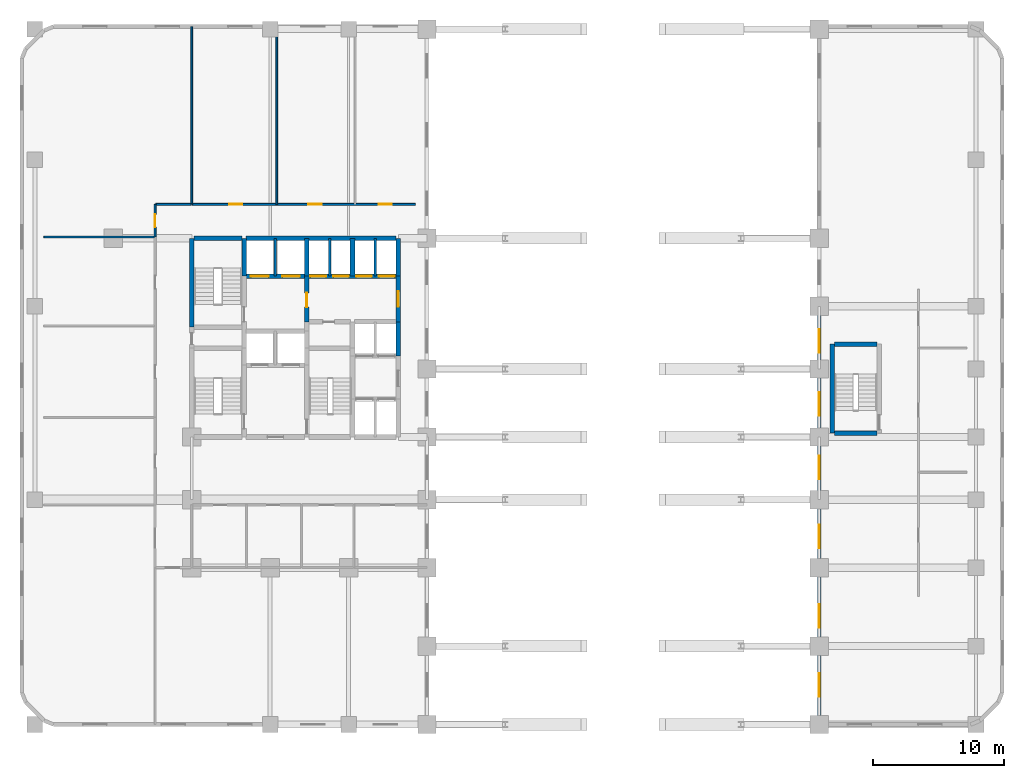
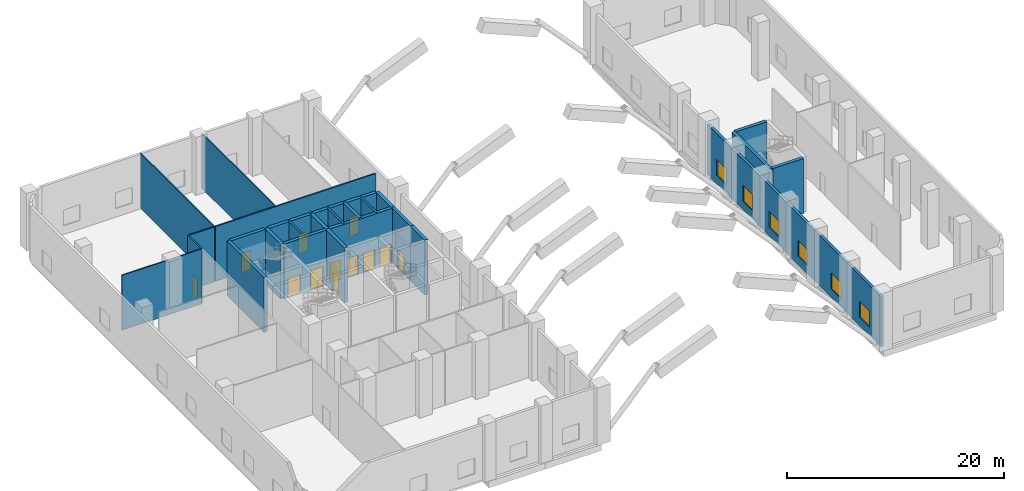
# One storey, part 5 of 10: 24 walls, 12 doors, 6 windows, 18 openings.
"""IFC4 building model written with IfcOpenShell, lengths in metres."""

from ifc_helpers import new_model, si_unit, direction, frame, frame_2d, origin, place, context, subcontext, project, spatial, rectangle, extrude, material, layer, layer_set, type_object, element, fill, save


model = new_model("IFC4")

# Units and contexts
model_context = context("Model", 3, precision=1e-05, world=origin(), true_north=direction((0.0, 1.0)))
body_context = subcontext(model_context, "Body", "Model", "MODEL_VIEW")
ifc_project = project(units=[si_unit("LENGTHUNIT", "METRE"), si_unit("AREAUNIT", "SQUARE_METRE"), si_unit("VOLUMEUNIT", "CUBIC_METRE"), si_unit("PLANEANGLEUNIT", "RADIAN"), si_unit("MASSUNIT", "GRAM", prefix="KILO")], contexts=[model_context])

# Site, building, storey
site_placement = place(None, origin())
site = spatial("IfcSite", under=ifc_project, at=site_placement, CompositionType="ELEMENT")
building_placement = place(site_placement, origin())
building = spatial("IfcBuilding", under=site, at=building_placement, Name="Keshet Zoharim Tower", CompositionType="ELEMENT")
storey_placement = place(building_placement, frame((0.0, 0.0, 6.5)))
storey = spatial("IfcBuildingStorey", under=building, at=storey_placement, Name="L01", CompositionType="ELEMENT", Elevation=6.5)

# Wall, opening, door
ifc_material_1 = material(Name="Gypsum Plasterboard", Category="gypsum")
ifc_layer_1 = layer(ifc_material_1, 0.14990234375)
ifc_layer_set_1 = layer_set([ifc_layer_1], Name="Gypsum Plasterboard")
wall_type_1 = type_object("IfcWallType", Name="WL-CLIN-150", PredefinedType="STANDARD", material=ifc_layer_set_1)
wall_1_placement = place(storey_placement, frame((12.199951171875, 38.0, 0.0), z_axis=(0.0, 0.0, 1.0), x_axis=(0.0, 1.0, 0.0)))
wall_1 = element("IfcWall", 1, at=wall_1_placement, inside=storey, type_object=wall_type_1, Name="L01 Interior Wall 005", PredefinedType="STANDARD", context=body_context, shape_type="SweptSolid", body=[
    extrude(rectangle(XDim=2.5, YDim=0.14990234375, at=frame_2d((1.25, 0.0))), origin(), (0.0, 0.0, 1.0), 6.169921875),
])
opening_1_placement = place(wall_1_placement, frame((0.75, 0.0, 0.0)))
opening_1 = element("IfcOpeningElement", 2, at=opening_1_placement, cuts=wall_1, Name="Opening D-F310", PredefinedType="OPENING", context=body_context, shape_type="SweptSolid", body=[
    extrude(rectangle(XDim=1.0, YDim=2.14990234375, at=frame_2d((0.5, 1.074951171875))), frame((0.0, 0.0849609375, 0.0), z_axis=(0.0, -1.0, 0.0), x_axis=(1.0, 0.0, 0.0)), (0.0, 0.0, 1.0), 0.169921875),
])
ifc_material_2 = material(Name="Hardwood Timber", Category="wood")
door_type_1 = type_object("IfcDoorType", Name="DR-FD30-100", OperationType="NOTDEFINED", PredefinedType="DOOR", material=ifc_material_2)
door_1_placement = place(opening_1_placement, origin())
door_1 = element("IfcDoor", 3, at=door_1_placement, inside=storey, type_object=door_type_1, Name="L01 Triage and Nursing Station Door", OperationType="SINGLE_SWING_LEFT", OverallHeight=2.14990234375, OverallWidth=1.0, PredefinedType="DOOR", context=body_context, shape_type="SweptSolid", body=[
    extrude(rectangle(XDim=1.0, YDim=2.14990234375, at=frame_2d((0.5, 1.074951171875))), frame((0.0, 0.02490234375, 0.0), z_axis=(0.0, -1.0, 0.0), x_axis=(1.0, 0.0, 0.0)), (0.0, 0.0, 1.0), 0.050048828125),
])
fill(opening_1, door_1)

# Wall
wall_2_placement = place(storey_placement, frame((12.260009765625, 40.5, 0.0), z_axis=(0.0, 0.0, 1.0), x_axis=(1.0, 0.0, 0.0)))
element("IfcWall", 4, at=wall_2_placement, inside=storey, type_object=wall_type_1, Name="L01 Interior Wall 078", PredefinedType="STANDARD", context=body_context, shape_type="SweptSolid", body=[
    extrude(rectangle(XDim=2.695068359375, YDim=0.14990234375, at=frame_2d((1.34765625, 0.0))), origin(), (0.0, 0.0, 1.0), 6.169921875),
])

# Wall, openings, doors
wall_3_placement = place(storey_placement, frame((15.044921875, 40.5, 0.0), z_axis=(0.0, 0.0, 1.0), x_axis=(1.0, 0.0, 0.0)))
wall_3 = element("IfcWall", 5, at=wall_3_placement, inside=storey, type_object=wall_type_1, Name="L01 Interior Wall 079", PredefinedType="STANDARD", context=body_context, shape_type="SweptSolid", body=[
    extrude(rectangle(XDim=17.065185546875, YDim=0.14990234375, at=frame_2d((8.53271484375, 0.0))), origin(), (0.0, 0.0, 1.0), 6.169921875),
])
opening_2_placement = place(wall_3_placement, frame((2.804931640625, 0.0, 0.0)))
opening_2 = element("IfcOpeningElement", 6, at=opening_2_placement, cuts=wall_3, Name="Opening D-F310", PredefinedType="OPENING", context=body_context, shape_type="SweptSolid", body=[
    extrude(rectangle(XDim=1.0, YDim=2.14990234375, at=frame_2d((0.5, 1.074951171875))), frame((0.0, 0.0849609375, 0.0), z_axis=(0.0, -1.0, 0.0), x_axis=(1.0, 0.0, 0.0)), (0.0, 0.0, 1.0), 0.169921875),
])
opening_3_placement = place(wall_3_placement, frame((8.883056640625, 0.0, 0.0)))
opening_3 = element("IfcOpeningElement", 7, at=opening_3_placement, cuts=wall_3, Name="Opening D-F310", PredefinedType="OPENING", context=body_context, shape_type="SweptSolid", body=[
    extrude(rectangle(XDim=1.0, YDim=2.14990234375, at=frame_2d((0.5, 1.074951171875))), frame((0.0, 0.0849609375, 0.0), z_axis=(0.0, -1.0, 0.0), x_axis=(1.0, 0.0, 0.0)), (0.0, 0.0, 1.0), 0.169921875),
])
opening_4_placement = place(wall_3_placement, frame((14.264892578125, 0.0, 0.0)))
opening_4 = element("IfcOpeningElement", 8, at=opening_4_placement, cuts=wall_3, Name="Opening D-F310", PredefinedType="OPENING", context=body_context, shape_type="SweptSolid", body=[
    extrude(rectangle(XDim=1.0, YDim=2.14990234375, at=frame_2d((0.5, 1.074951171875))), frame((0.0, 0.0849609375, 0.0), z_axis=(0.0, -1.0, 0.0), x_axis=(1.0, 0.0, 0.0)), (0.0, 0.0, 1.0), 0.169921875),
])
door_2_placement = place(opening_2_placement, origin())
door_2 = element("IfcDoor", 9, at=door_2_placement, inside=storey, type_object=door_type_1, Name="L01 Diagnostic Imaging Room Door", OperationType="SINGLE_SWING_RIGHT", OverallHeight=2.14990234375, OverallWidth=1.0, PredefinedType="DOOR", context=body_context, shape_type="SweptSolid", body=[
    extrude(rectangle(XDim=1.0, YDim=2.14990234375, at=frame_2d((0.5, 1.074951171875))), frame((0.0, 0.02490234375, 0.0), z_axis=(0.0, -1.0, 0.0), x_axis=(1.0, 0.0, 0.0)), (0.0, 0.0, 1.0), 0.050048828125),
])
fill(opening_2, door_2)
door_3_placement = place(opening_3_placement, origin())
door_3 = element("IfcDoor", 10, at=door_3_placement, inside=storey, type_object=door_type_1, Name="L01 Outpatient Consultation Room 2 Door", OperationType="SINGLE_SWING_LEFT", OverallHeight=2.14990234375, OverallWidth=1.0, PredefinedType="DOOR", context=body_context, shape_type="SweptSolid", body=[
    extrude(rectangle(XDim=1.0, YDim=2.14990234375, at=frame_2d((0.5, 1.074951171875))), frame((0.0, 0.02490234375, 0.0), z_axis=(0.0, -1.0, 0.0), x_axis=(1.0, 0.0, 0.0)), (0.0, 0.0, 1.0), 0.050048828125),
])
fill(opening_3, door_3)
door_4_placement = place(opening_4_placement, origin())
door_4 = element("IfcDoor", 11, at=door_4_placement, inside=storey, type_object=door_type_1, Name="L01 Vaccination Room Door", OperationType="SINGLE_SWING_RIGHT", OverallHeight=2.14990234375, OverallWidth=1.0, PredefinedType="DOOR", context=body_context, shape_type="SweptSolid", body=[
    extrude(rectangle(XDim=1.0, YDim=2.14990234375, at=frame_2d((0.5, 1.074951171875))), frame((0.0, 0.02490234375, 0.0), z_axis=(0.0, -1.0, 0.0), x_axis=(1.0, 0.0, 0.0)), (0.0, 0.0, 1.0), 0.050048828125),
])
fill(opening_4, door_4)

# Walls
ifc_material_3 = material(Name="Concrete C60/75", Category="concrete")
ifc_layer_2 = layer(ifc_material_3, 0.35009765625)
ifc_layer_set_2 = layer_set([ifc_layer_2], Name="Concrete C60/75")
wall_type_2 = type_object("IfcWallType", Name="WL-CORE-350", PredefinedType="SHEAR", material=ifc_layer_set_2)
wall_4_placement = place(storey_placement, frame((15.0, 31.10009765625, 0.0), z_axis=(0.0, 0.0, 1.0), x_axis=(0.0, 1.0, 0.0)))
element("IfcWall", 12, at=wall_4_placement, inside=storey, type_object=wall_type_2, Name="L01 Core Shear Wall 009", PredefinedType="SHEAR", context=body_context, shape_type="SweptSolid", body=[
    extrude(rectangle(XDim=6.7998046875, YDim=0.35009765625, at=frame_2d((3.39990234375, 0.0))), origin(), (0.0, 0.0, 1.0), 6.169921875),
])
wall_5_placement = place(storey_placement, frame((19.0, 35.0, 0.0), z_axis=(0.0, 0.0, 1.0), x_axis=(0.0, 1.0, 0.0)))
element("IfcWall", 13, at=wall_5_placement, inside=storey, type_object=wall_type_2, Name="L01 Core Shear Wall 014", PredefinedType="SHEAR", context=body_context, shape_type="SweptSolid", body=[
    extrude(rectangle(XDim=2.89990234375, YDim=0.35009765625, at=frame_2d((1.449951171875, 0.0))), origin(), (0.0, 0.0, 1.0), 6.169921875),
])

# Wall, opening, door
wall_6_placement = place(storey_placement, frame((23.800048828125, 31.5, 0.0), z_axis=(0.0, 0.0, 1.0), x_axis=(0.0, 1.0, 0.0)))
wall_6 = element("IfcWall", 14, at=wall_6_placement, inside=storey, type_object=wall_type_2, Name="L01 Core Shear Wall 024", PredefinedType="SHEAR", context=body_context, shape_type="SweptSolid", body=[
    extrude(rectangle(XDim=3.5, YDim=0.35009765625, at=frame_2d((1.75, 0.0))), origin(), (0.0, 0.0, 1.0), 6.169921875),
])
opening_5_placement = place(wall_6_placement, frame((1.126953125, 0.0, 0.0)))
opening_5 = element("IfcOpeningElement", 15, at=opening_5_placement, cuts=wall_6, Name="Opening D-F611", PredefinedType="OPENING", context=body_context, shape_type="SweptSolid", body=[
    extrude(rectangle(XDim=1.10009765625, YDim=2.14990234375, at=frame_2d((0.550048828125, 1.074951171875))), frame((0.0, 0.18505859375, 0.0), z_axis=(0.0, -1.0, 0.0), x_axis=(1.0, 0.0, 0.0)), (0.0, 0.0, 1.0), 0.3701171875),
])
door_type_2 = type_object("IfcDoorType", Name="DR-FD60-110", OperationType="NOTDEFINED", PredefinedType="DOOR", material=ifc_material_2)
door_5_placement = place(opening_5_placement, origin())
door_5 = element("IfcDoor", 16, at=door_5_placement, inside=storey, type_object=door_type_2, Name="L01 Firefighting Lobby Fire Door", OperationType="SINGLE_SWING_RIGHT", OverallHeight=2.14990234375, OverallWidth=1.10009765625, PredefinedType="DOOR", context=body_context, shape_type="SweptSolid", body=[
    extrude(rectangle(XDim=1.10009765625, YDim=2.14990234375, at=frame_2d((0.550048828125, 1.074951171875))), frame((0.0, 0.02490234375, 0.0), z_axis=(0.0, -1.0, 0.0), x_axis=(1.0, 0.0, 0.0)), (0.0, 0.0, 1.0), 0.050048828125),
])
fill(opening_5, door_5)

# Walls
for number, where, z_axis, x_axis, name in (
    (17, (23.800048828125, 35.0, 0.0), (0.0, 0.0, 1.0), (0.0, 1.0, 0.0), "L01 Core Shear Wall 025"),
    (18, (27.300048828125, 35.0, 0.0), (0.0, 0.0, 1.0), (0.0, 1.0, 0.0), "L01 Core Shear Wall 031"),
):
    element("IfcWall", number, at=place(storey_placement, frame(where, z_axis=z_axis, x_axis=x_axis)), inside=storey, type_object=wall_type_2, Name=name, PredefinedType="SHEAR", context=body_context, shape_type="SweptSolid", body=[
        extrude(rectangle(XDim=2.89990234375, YDim=0.35009765625, at=frame_2d((1.449951171875, 0.0))), origin(), (0.0, 0.0, 1.0), 6.169921875),
    ])
wall_7_placement = place(storey_placement, frame((30.800048828125, 28.89990234375, 0.0), z_axis=(0.0, 0.0, 1.0), x_axis=(0.0, 1.0, 0.0)))
element("IfcWall", 19, at=wall_7_placement, inside=storey, type_object=wall_type_2, Name="L01 Core Shear Wall 039", PredefinedType="SHEAR", context=body_context, shape_type="SweptSolid", body=[
    extrude(rectangle(XDim=2.60009765625, YDim=0.35009765625, at=frame_2d((1.300048828125, 0.0))), origin(), (0.0, 0.0, 1.0), 6.169921875),
])

# Wall, opening, door
wall_8_placement = place(storey_placement, frame((30.800048828125, 31.5, 0.0), z_axis=(0.0, 0.0, 1.0), x_axis=(0.0, 1.0, 0.0)))
wall_8 = element("IfcWall", 20, at=wall_8_placement, inside=storey, type_object=wall_type_2, Name="L01 Core Shear Wall 040", PredefinedType="SHEAR", context=body_context, shape_type="SweptSolid", body=[
    extrude(rectangle(XDim=3.5, YDim=0.35009765625, at=frame_2d((1.75, 0.0))), origin(), (0.0, 0.0, 1.0), 6.169921875),
])
opening_6_placement = place(wall_8_placement, frame((1.14990234375, 0.0, 0.0)))
opening_6 = element("IfcOpeningElement", 21, at=opening_6_placement, cuts=wall_8, Name="Opening D-F612", PredefinedType="OPENING", context=body_context, shape_type="SweptSolid", body=[
    extrude(rectangle(XDim=1.199951171875, YDim=2.199951171875, at=frame_2d((0.60009765625, 1.10009765625))), frame((0.0, 0.18505859375, 0.0), z_axis=(0.0, -1.0, 0.0), x_axis=(1.0, 0.0, 0.0)), (0.0, 0.0, 1.0), 0.3701171875),
])
door_type_3 = type_object("IfcDoorType", Name="DR-FD60-120", OperationType="NOTDEFINED", PredefinedType="DOOR", material=ifc_material_2)
door_6_placement = place(opening_6_placement, origin())
door_6 = element("IfcDoor", 22, at=door_6_placement, inside=storey, type_object=door_type_3, Name="L01 North Lift Lobby East Fire Door", OperationType="SINGLE_SWING_RIGHT", OverallHeight=2.199951171875, OverallWidth=1.199951171875, PredefinedType="DOOR", context=body_context, shape_type="SweptSolid", body=[
    extrude(rectangle(XDim=1.199951171875, YDim=2.199951171875, at=frame_2d((0.60009765625, 1.10009765625))), frame((0.0, 0.02490234375, 0.0), z_axis=(0.0, -1.0, 0.0), x_axis=(1.0, 0.0, 0.0)), (0.0, 0.0, 1.0), 0.050048828125),
])
fill(opening_6, door_6)

# Walls
wall_9_placement = place(storey_placement, frame((30.800048828125, 35.0, 0.0), z_axis=(0.0, 0.0, 1.0), x_axis=(0.0, 1.0, 0.0)))
element("IfcWall", 23, at=wall_9_placement, inside=storey, type_object=wall_type_2, Name="L01 Core Shear Wall 041", PredefinedType="SHEAR", context=body_context, shape_type="SweptSolid", body=[
    extrude(rectangle(XDim=2.89990234375, YDim=0.35009765625, at=frame_2d((1.449951171875, 0.0))), origin(), (0.0, 0.0, 1.0), 6.169921875),
])
wall_10_placement = place(storey_placement, frame((64.0, 23.0, 0.0), z_axis=(0.0, 0.0, 1.0), x_axis=(0.0, 1.0, 0.0)))
element("IfcWall", 24, at=wall_10_placement, inside=storey, type_object=wall_type_2, Name="L01 Core Shear Wall 042", PredefinedType="SHEAR", context=body_context, shape_type="SweptSolid", body=[
    extrude(rectangle(XDim=6.800048828125, YDim=0.35009765625, at=frame_2d((3.39990234375, 0.0))), origin(), (0.0, 0.0, 1.0), 6.169921875),
])
for number, where, z_axis, x_axis, name in (
    (25, (64.159912109375, 23.0, 0.0), (0.0, 0.0, 1.0), (1.0, 0.0, 0.0), "L01 Core Shear Wall 060"),
    (26, (64.159912109375, 29.800048828125, 0.0), (0.0, 0.0, 1.0), (1.0, 0.0, 0.0), "L01 Core Shear Wall 068"),
):
    element("IfcWall", number, at=place(storey_placement, frame(where, z_axis=z_axis, x_axis=x_axis)), inside=storey, type_object=wall_type_2, Name=name, PredefinedType="SHEAR", context=body_context, shape_type="SweptSolid", body=[
        extrude(rectangle(XDim=3.280029296875, YDim=0.35009765625, at=frame_2d((1.64013671875, 0.0))), origin(), (0.0, 0.0, 1.0), 6.169921875),
    ])

# Wall, openings, doors
wall_11_placement = place(storey_placement, frame((19.159912109375, 35.0, 0.0), z_axis=(0.0, 0.0, 1.0), x_axis=(1.0, 0.0, 0.0)))
wall_11 = element("IfcWall", 27, at=wall_11_placement, inside=storey, type_object=wall_type_2, Name="L01 Core Shear Wall 074", PredefinedType="SHEAR", context=body_context, shape_type="SweptSolid", body=[
    extrude(rectangle(XDim=11.47998046875, YDim=0.35009765625, at=frame_2d((5.739990234375, 0.0))), origin(), (0.0, 0.0, 1.0), 6.169921875),
])
opening_7_placement = place(wall_11_placement, frame((0.364990234375, 0.0, 0.0)))
opening_7 = element("IfcOpeningElement", 28, at=opening_7_placement, cuts=wall_11, Name="Opening LD-02", PredefinedType="OPENING", context=body_context, shape_type="SweptSolid", body=[
    extrude(rectangle(XDim=1.35009765625, YDim=2.199951171875, at=frame_2d((0.675048828125, 1.10009765625))), frame((0.0, 0.18505859375, 0.0), z_axis=(0.0, -1.0, 0.0), x_axis=(1.0, 0.0, 0.0)), (0.0, 0.0, 1.0), 0.3701171875),
])
opening_8_placement = place(wall_11_placement, frame((2.764892578125, 0.0, 0.0)))
opening_8 = element("IfcOpeningElement", 29, at=opening_8_placement, cuts=wall_11, Name="Opening LD-02", PredefinedType="OPENING", context=body_context, shape_type="SweptSolid", body=[
    extrude(rectangle(XDim=1.35009765625, YDim=2.199951171875, at=frame_2d((0.675048828125, 1.10009765625))), frame((0.0, 0.18505859375, 0.0), z_axis=(0.0, -1.0, 0.0), x_axis=(1.0, 0.0, 0.0)), (0.0, 0.0, 1.0), 0.3701171875),
])
opening_9_placement = place(wall_11_placement, frame((4.9150390625, 0.0, 0.0)))
opening_9 = element("IfcOpeningElement", 30, at=opening_9_placement, cuts=wall_11, Name="Opening LD-03", PredefinedType="OPENING", context=body_context, shape_type="SweptSolid", body=[
    extrude(rectangle(XDim=1.199951171875, YDim=2.199951171875, at=frame_2d((0.60009765625, 1.10009765625))), frame((0.0, 0.18505859375, 0.0), z_axis=(0.0, -1.0, 0.0), x_axis=(1.0, 0.0, 0.0)), (0.0, 0.0, 1.0), 0.3701171875),
])
opening_10_placement = place(wall_11_placement, frame((6.6650390625, 0.0, 0.0)))
opening_10 = element("IfcOpeningElement", 31, at=opening_10_placement, cuts=wall_11, Name="Opening LD-03", PredefinedType="OPENING", context=body_context, shape_type="SweptSolid", body=[
    extrude(rectangle(XDim=1.199951171875, YDim=2.199951171875, at=frame_2d((0.60009765625, 1.10009765625))), frame((0.0, 0.18505859375, 0.0), z_axis=(0.0, -1.0, 0.0), x_axis=(1.0, 0.0, 0.0)), (0.0, 0.0, 1.0), 0.3701171875),
])
opening_11_placement = place(wall_11_placement, frame((8.4150390625, 0.0, 0.0)))
opening_11 = element("IfcOpeningElement", 32, at=opening_11_placement, cuts=wall_11, Name="Opening LD-03", PredefinedType="OPENING", context=body_context, shape_type="SweptSolid", body=[
    extrude(rectangle(XDim=1.199951171875, YDim=2.199951171875, at=frame_2d((0.60009765625, 1.10009765625))), frame((0.0, 0.18505859375, 0.0), z_axis=(0.0, -1.0, 0.0), x_axis=(1.0, 0.0, 0.0)), (0.0, 0.0, 1.0), 0.3701171875),
])
opening_12_placement = place(wall_11_placement, frame((10.159912109375, 0.0, 0.0)))
opening_12 = element("IfcOpeningElement", 33, at=opening_12_placement, cuts=wall_11, Name="Opening LD-03", PredefinedType="OPENING", context=body_context, shape_type="SweptSolid", body=[
    extrude(rectangle(XDim=1.199951171875, YDim=2.199951171875, at=frame_2d((0.60009765625, 1.10009765625))), frame((0.0, 0.18505859375, 0.0), z_axis=(0.0, -1.0, 0.0), x_axis=(1.0, 0.0, 0.0)), (0.0, 0.0, 1.0), 0.3701171875),
])
ifc_material_4 = material(Name="Steel S355", Category="steel")
door_type_4 = type_object("IfcDoorType", Name="DR-LD02-135", OperationType="DOUBLE_DOOR_SLIDING", PredefinedType="DOOR", material=ifc_material_4)
door_7_placement = place(opening_7_placement, origin())
door_7 = element("IfcDoor", 34, at=door_7_placement, inside=storey, type_object=door_type_4, Name="L01 Firefighting Lift Landing Door FF-01", OperationType="DOUBLE_DOOR_SLIDING", OverallHeight=2.199951171875, OverallWidth=1.35009765625, PredefinedType="DOOR", context=body_context, shape_type="SweptSolid", body=[
    extrude(rectangle(XDim=1.35009765625, YDim=2.199951171875, at=frame_2d((0.675048828125, 1.10009765625))), frame((0.0, 0.02490234375, 0.0), z_axis=(0.0, -1.0, 0.0), x_axis=(1.0, 0.0, 0.0)), (0.0, 0.0, 1.0), 0.050048828125),
])
fill(opening_7, door_7)
door_8_placement = place(opening_8_placement, origin())
door_8 = element("IfcDoor", 35, at=door_8_placement, inside=storey, type_object=door_type_4, Name="L01 Firefighting Lift Landing Door FF-02", OperationType="DOUBLE_DOOR_SLIDING", OverallHeight=2.199951171875, OverallWidth=1.35009765625, PredefinedType="DOOR", context=body_context, shape_type="SweptSolid", body=[
    extrude(rectangle(XDim=1.35009765625, YDim=2.199951171875, at=frame_2d((0.675048828125, 1.10009765625))), frame((0.0, 0.02490234375, 0.0), z_axis=(0.0, -1.0, 0.0), x_axis=(1.0, 0.0, 0.0)), (0.0, 0.0, 1.0), 0.050048828125),
])
fill(opening_8, door_8)
door_type_5 = type_object("IfcDoorType", Name="DR-LD03-120", OperationType="DOUBLE_DOOR_SLIDING", PredefinedType="DOOR", material=ifc_material_4)
door_9_placement = place(opening_9_placement, origin())
door_9 = element("IfcDoor", 36, at=door_9_placement, inside=storey, type_object=door_type_5, Name="L01 Passenger Lift Landing Door LF-01", OperationType="DOUBLE_DOOR_SLIDING", OverallHeight=2.199951171875, OverallWidth=1.199951171875, PredefinedType="DOOR", context=body_context, shape_type="SweptSolid", body=[
    extrude(rectangle(XDim=1.199951171875, YDim=2.199951171875, at=frame_2d((0.60009765625, 1.10009765625))), frame((0.0, 0.02490234375, 0.0), z_axis=(0.0, -1.0, 0.0), x_axis=(1.0, 0.0, 0.0)), (0.0, 0.0, 1.0), 0.050048828125),
])
fill(opening_9, door_9)
door_10_placement = place(opening_10_placement, origin())
door_10 = element("IfcDoor", 37, at=door_10_placement, inside=storey, type_object=door_type_5, Name="L01 Passenger Lift Landing Door LF-02", OperationType="DOUBLE_DOOR_SLIDING", OverallHeight=2.199951171875, OverallWidth=1.199951171875, PredefinedType="DOOR", context=body_context, shape_type="SweptSolid", body=[
    extrude(rectangle(XDim=1.199951171875, YDim=2.199951171875, at=frame_2d((0.60009765625, 1.10009765625))), frame((0.0, 0.02490234375, 0.0), z_axis=(0.0, -1.0, 0.0), x_axis=(1.0, 0.0, 0.0)), (0.0, 0.0, 1.0), 0.050048828125),
])
fill(opening_10, door_10)
door_11_placement = place(opening_11_placement, origin())
door_11 = element("IfcDoor", 38, at=door_11_placement, inside=storey, type_object=door_type_5, Name="L01 Passenger Lift Landing Door LF-03", OperationType="DOUBLE_DOOR_SLIDING", OverallHeight=2.199951171875, OverallWidth=1.199951171875, PredefinedType="DOOR", context=body_context, shape_type="SweptSolid", body=[
    extrude(rectangle(XDim=1.199951171875, YDim=2.199951171875, at=frame_2d((0.60009765625, 1.10009765625))), frame((0.0, 0.02490234375, 0.0), z_axis=(0.0, -1.0, 0.0), x_axis=(1.0, 0.0, 0.0)), (0.0, 0.0, 1.0), 0.050048828125),
])
fill(opening_11, door_11)
door_12_placement = place(opening_12_placement, origin())
door_12 = element("IfcDoor", 39, at=door_12_placement, inside=storey, type_object=door_type_5, Name="L01 Passenger Lift Landing Door LF-04", OperationType="DOUBLE_DOOR_SLIDING", OverallHeight=2.199951171875, OverallWidth=1.199951171875, PredefinedType="DOOR", context=body_context, shape_type="SweptSolid", body=[
    extrude(rectangle(XDim=1.199951171875, YDim=2.199951171875, at=frame_2d((0.60009765625, 1.10009765625))), frame((0.0, 0.02490234375, 0.0), z_axis=(0.0, -1.0, 0.0), x_axis=(1.0, 0.0, 0.0)), (0.0, 0.0, 1.0), 0.050048828125),
])
fill(opening_12, door_12)

# Walls
wall_12_placement = place(storey_placement, frame((15.159912109375, 37.89990234375, 0.0), z_axis=(0.0, 0.0, 1.0), x_axis=(1.0, 0.0, 0.0)))
element("IfcWall", 40, at=wall_12_placement, inside=storey, type_object=wall_type_2, Name="L01 Core Shear Wall 075", PredefinedType="SHEAR", context=body_context, shape_type="SweptSolid", body=[
    extrude(rectangle(XDim=3.68017578125, YDim=0.35009765625, at=frame_2d((1.840087890625, 0.0))), origin(), (0.0, 0.0, 1.0), 6.169921875),
])
wall_13_placement = place(storey_placement, frame((19.159912109375, 37.89990234375, 0.0), z_axis=(0.0, 0.0, 1.0), x_axis=(1.0, 0.0, 0.0)))
element("IfcWall", 41, at=wall_13_placement, inside=storey, type_object=wall_type_2, Name="L01 Core Shear Wall 076", PredefinedType="SHEAR", context=body_context, shape_type="SweptSolid", body=[
    extrude(rectangle(XDim=11.47998046875, YDim=0.35009765625, at=frame_2d((5.739990234375, 0.0))), origin(), (0.0, 0.0, 1.0), 6.169921875),
])

# Wall, openings, windows
ifc_material_5 = material(Name="Concrete C50/60 precast", Category="concrete")
ifc_layer_3 = layer(ifc_material_5, 0.280029296875)
ifc_layer_set_3 = layer_set([ifc_layer_3], Name="Concrete C50/60 precast")
wall_type_3 = type_object("IfcWallType", Name="WL-EXT-280", PredefinedType="STANDARD", material=ifc_layer_set_3)
wall_14_placement = place(storey_placement, frame((63.0, 0.699951171875, 0.0), z_axis=(0.0, 0.0, 1.0), x_axis=(0.0, 1.0, 0.0)))
wall_14 = element("IfcWall", 42, at=wall_14_placement, inside=storey, type_object=wall_type_3, Name="L01 Podium Precast Facade Wall 19", PredefinedType="STANDARD", context=body_context, shape_type="SweptSolid", body=[
    extrude(rectangle(XDim=32.0, YDim=0.280029296875, at=frame_2d((16.0, 0.0))), origin(), (0.0, 0.0, 1.0), 5.669921875),
])
opening_13_placement = place(wall_14_placement, frame((2.1298828125, 0.0, 0.949951171875)))
opening_13 = element("IfcOpeningElement", 43, at=opening_13_placement, cuts=wall_14, Name="Opening W-180", PredefinedType="OPENING", context=body_context, shape_type="SweptSolid", body=[
    extrude(rectangle(XDim=1.800048828125, YDim=1.800048828125, at=frame_2d((0.89990234375, 0.89990234375))), frame((0.0, 0.14990234375, 0.0), z_axis=(0.0, -1.0, 0.0), x_axis=(1.0, 0.0, 0.0)), (0.0, 0.0, 1.0), 0.300048828125),
])
opening_14_placement = place(wall_14_placement, frame((7.389892578125, 0.0, 0.949951171875)))
opening_14 = element("IfcOpeningElement", 44, at=opening_14_placement, cuts=wall_14, Name="Opening W-180", PredefinedType="OPENING", context=body_context, shape_type="SweptSolid", body=[
    extrude(rectangle(XDim=1.800048828125, YDim=1.800048828125, at=frame_2d((0.89990234375, 0.89990234375))), frame((0.0, 0.14990234375, 0.0), z_axis=(0.0, -1.0, 0.0), x_axis=(1.0, 0.0, 0.0)), (0.0, 0.0, 1.0), 0.300048828125),
])
opening_15_placement = place(wall_14_placement, frame((13.5, 0.0, 0.949951171875)))
opening_15 = element("IfcOpeningElement", 45, at=opening_15_placement, cuts=wall_14, Name="Opening W-180", PredefinedType="OPENING", context=body_context, shape_type="SweptSolid", body=[
    extrude(rectangle(XDim=1.800048828125, YDim=1.800048828125, at=frame_2d((0.89990234375, 0.89990234375))), frame((0.0, 0.14990234375, 0.0), z_axis=(0.0, -1.0, 0.0), x_axis=(1.0, 0.0, 0.0)), (0.0, 0.0, 1.0), 0.300048828125),
])
opening_16_placement = place(wall_14_placement, frame((18.760009765625, 0.0, 0.949951171875)))
opening_16 = element("IfcOpeningElement", 46, at=opening_16_placement, cuts=wall_14, Name="Opening W-180", PredefinedType="OPENING", context=body_context, shape_type="SweptSolid", body=[
    extrude(rectangle(XDim=1.800048828125, YDim=1.800048828125, at=frame_2d((0.89990234375, 0.89990234375))), frame((0.0, 0.14990234375, 0.0), z_axis=(0.0, -1.0, 0.0), x_axis=(1.0, 0.0, 0.0)), (0.0, 0.0, 1.0), 0.300048828125),
])
opening_17_placement = place(wall_14_placement, frame((23.6201171875, 0.0, 0.949951171875)))
opening_17 = element("IfcOpeningElement", 47, at=opening_17_placement, cuts=wall_14, Name="Opening W-180", PredefinedType="OPENING", context=body_context, shape_type="SweptSolid", body=[
    extrude(rectangle(XDim=1.800048828125, YDim=1.800048828125, at=frame_2d((0.89990234375, 0.89990234375))), frame((0.0, 0.14990234375, 0.0), z_axis=(0.0, -1.0, 0.0), x_axis=(1.0, 0.0, 0.0)), (0.0, 0.0, 1.0), 0.300048828125),
])
opening_18_placement = place(wall_14_placement, frame((28.429931640625, 0.0, 0.949951171875)))
opening_18 = element("IfcOpeningElement", 48, at=opening_18_placement, cuts=wall_14, Name="Opening W-180", PredefinedType="OPENING", context=body_context, shape_type="SweptSolid", body=[
    extrude(rectangle(XDim=1.800048828125, YDim=1.800048828125, at=frame_2d((0.89990234375, 0.89990234375))), frame((0.0, 0.14990234375, 0.0), z_axis=(0.0, -1.0, 0.0), x_axis=(1.0, 0.0, 0.0)), (0.0, 0.0, 1.0), 0.300048828125),
])
ifc_material_6 = material(Name="Insulated Low-E Clear Glass", Category="glass")
window_type = type_object("IfcWindowType", Name="WN-CLN-180", PartitioningType="DOUBLE_PANEL_VERTICAL", PredefinedType="WINDOW", material=ifc_material_6)
window_1_placement = place(opening_13_placement, origin())
window_1 = element("IfcWindow", 49, at=window_1_placement, inside=storey, type_object=window_type, Name="L01 Clinic Facade Window 39", OverallHeight=1.800048828125, OverallWidth=1.800048828125, PartitioningType="DOUBLE_PANEL_VERTICAL", PredefinedType="WINDOW", context=body_context, shape_type="SweptSolid", body=[
    extrude(rectangle(XDim=1.800048828125, YDim=1.800048828125, at=frame_2d((0.89990234375, 0.89990234375))), frame((0.0, 0.030029296875, 0.0), z_axis=(0.0, -1.0, 0.0), x_axis=(1.0, 0.0, 0.0)), (0.0, 0.0, 1.0), 0.06005859375),
])
fill(opening_13, window_1)
window_2_placement = place(opening_14_placement, origin())
window_2 = element("IfcWindow", 50, at=window_2_placement, inside=storey, type_object=window_type, Name="L01 Clinic Facade Window 40", OverallHeight=1.800048828125, OverallWidth=1.800048828125, PartitioningType="DOUBLE_PANEL_VERTICAL", PredefinedType="WINDOW", context=body_context, shape_type="SweptSolid", body=[
    extrude(rectangle(XDim=1.800048828125, YDim=1.800048828125, at=frame_2d((0.89990234375, 0.89990234375))), frame((0.0, 0.030029296875, 0.0), z_axis=(0.0, -1.0, 0.0), x_axis=(1.0, 0.0, 0.0)), (0.0, 0.0, 1.0), 0.06005859375),
])
fill(opening_14, window_2)
window_3_placement = place(opening_15_placement, origin())
window_3 = element("IfcWindow", 51, at=window_3_placement, inside=storey, type_object=window_type, Name="L01 Clinic Facade Window 41", OverallHeight=1.800048828125, OverallWidth=1.800048828125, PartitioningType="DOUBLE_PANEL_VERTICAL", PredefinedType="WINDOW", context=body_context, shape_type="SweptSolid", body=[
    extrude(rectangle(XDim=1.800048828125, YDim=1.800048828125, at=frame_2d((0.89990234375, 0.89990234375))), frame((0.0, 0.030029296875, 0.0), z_axis=(0.0, -1.0, 0.0), x_axis=(1.0, 0.0, 0.0)), (0.0, 0.0, 1.0), 0.06005859375),
])
fill(opening_15, window_3)
window_4_placement = place(opening_16_placement, origin())
window_4 = element("IfcWindow", 52, at=window_4_placement, inside=storey, type_object=window_type, Name="L01 Clinic Facade Window 42", OverallHeight=1.800048828125, OverallWidth=1.800048828125, PartitioningType="DOUBLE_PANEL_VERTICAL", PredefinedType="WINDOW", context=body_context, shape_type="SweptSolid", body=[
    extrude(rectangle(XDim=1.800048828125, YDim=1.800048828125, at=frame_2d((0.89990234375, 0.89990234375))), frame((0.0, 0.030029296875, 0.0), z_axis=(0.0, -1.0, 0.0), x_axis=(1.0, 0.0, 0.0)), (0.0, 0.0, 1.0), 0.06005859375),
])
fill(opening_16, window_4)
window_5_placement = place(opening_17_placement, origin())
window_5 = element("IfcWindow", 53, at=window_5_placement, inside=storey, type_object=window_type, Name="L01 Clinic Facade Window 43", OverallHeight=1.800048828125, OverallWidth=1.800048828125, PartitioningType="DOUBLE_PANEL_VERTICAL", PredefinedType="WINDOW", context=body_context, shape_type="SweptSolid", body=[
    extrude(rectangle(XDim=1.800048828125, YDim=1.800048828125, at=frame_2d((0.89990234375, 0.89990234375))), frame((0.0, 0.030029296875, 0.0), z_axis=(0.0, -1.0, 0.0), x_axis=(1.0, 0.0, 0.0)), (0.0, 0.0, 1.0), 0.06005859375),
])
fill(opening_17, window_5)
window_6_placement = place(opening_18_placement, origin())
window_6 = element("IfcWindow", 54, at=window_6_placement, inside=storey, type_object=window_type, Name="L01 Clinic Facade Window 44", OverallHeight=1.800048828125, OverallWidth=1.800048828125, PartitioningType="DOUBLE_PANEL_VERTICAL", PredefinedType="WINDOW", context=body_context, shape_type="SweptSolid", body=[
    extrude(rectangle(XDim=1.800048828125, YDim=1.800048828125, at=frame_2d((0.89990234375, 0.89990234375))), frame((0.0, 0.030029296875, 0.0), z_axis=(0.0, -1.0, 0.0), x_axis=(1.0, 0.0, 0.0)), (0.0, 0.0, 1.0), 0.06005859375),
])
fill(opening_18, window_6)

# Walls
ifc_material_7 = material(Name="Concrete C50/60", Category="concrete")
ifc_layer_4 = layer(ifc_material_7, 0.199951171875)
ifc_layer_set_4 = layer_set([ifc_layer_4], Name="Concrete C50/60")
wall_type_4 = type_object("IfcWallType", Name="WL-FIRE-200", PredefinedType="STANDARD", material=ifc_layer_set_4)
for number, where, z_axis, x_axis, name in (
    (55, (21.39990234375, 35.0, 0.0), (0.0, 0.0, 1.0), (0.0, 1.0, 0.0), "L01 Interior Wall 017"),
    (56, (25.550048828125, 35.0, 0.0), (0.0, 0.0, 1.0), (0.0, 1.0, 0.0), "L01 Interior Wall 026"),
    (57, (29.050048828125, 35.0, 0.0), (0.0, 0.0, 1.0), (0.0, 1.0, 0.0), "L01 Interior Wall 036"),
):
    element("IfcWall", number, at=place(storey_placement, frame(where, z_axis=z_axis, x_axis=x_axis)), inside=storey, type_object=wall_type_4, Name=name, PredefinedType="STANDARD", context=body_context, shape_type="SweptSolid", body=[
        extrude(rectangle(XDim=2.89990234375, YDim=0.199951171875, at=frame_2d((1.449951171875, 0.0))), origin(), (0.0, 0.0, 1.0), 6.169921875),
    ])
ifc_layer_5 = layer(ifc_material_1, 0.1201171875)
ifc_layer_set_5 = layer_set([ifc_layer_5], Name="Gypsum Plasterboard")
wall_type_5 = type_object("IfcWallType", Name="WL-PART-120", PredefinedType="PARTITIONING", material=ifc_layer_set_5)
for number, where, z_axis, x_axis, name in (
    (58, (15.0, 40.5, 0.0), (0.0, 0.0, 1.0), (0.0, 1.0, 0.0), "L01 Interior Wall 010"),
    (59, (21.5, 40.5, 0.0), (0.0, 0.0, 1.0), (0.0, 1.0, 0.0), "L01 Interior Wall 018"),
):
    element("IfcWall", number, at=place(storey_placement, frame(where, z_axis=z_axis, x_axis=x_axis)), inside=storey, type_object=wall_type_5, Name=name, PredefinedType="PARTITIONING", context=body_context, shape_type="SweptSolid", body=[
        extrude(rectangle(XDim=13.590087890625, YDim=0.1201171875, at=frame_2d((6.794921875, 0.0))), origin(), (0.0, 0.0, 1.0), 6.169921875),
    ])
wall_15_placement = place(storey_placement, frame((3.68994140625, 38.0, 0.0), z_axis=(0.0, 0.0, 1.0), x_axis=(1.0, 0.0, 0.0)))
element("IfcWall", 60, at=wall_15_placement, inside=storey, type_object=wall_type_5, Name="L01 Interior Wall 077", PredefinedType="PARTITIONING", context=body_context, shape_type="SweptSolid", body=[
    extrude(rectangle(XDim=8.449951171875, YDim=0.1201171875, at=frame_2d((4.22509765625, 0.0))), origin(), (0.0, 0.0, 1.0), 6.169921875),
])

save(model, "model.ifc")
